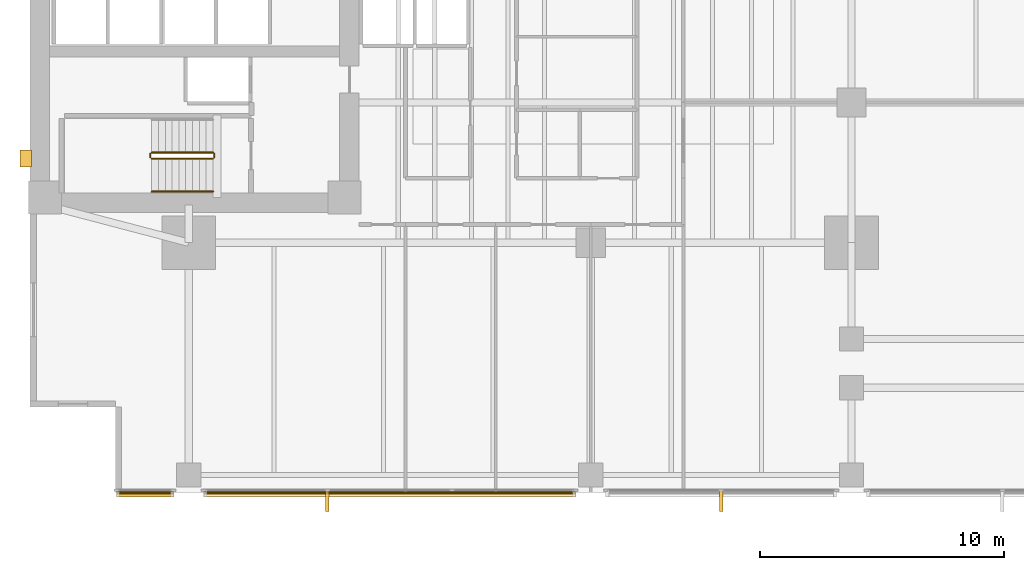
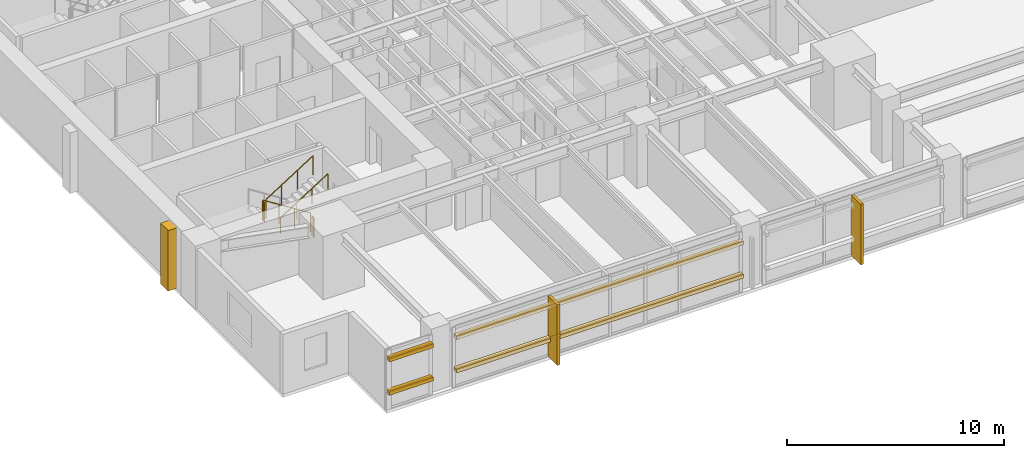
# One storey, part 12 of 15: 7 coverings, 5 railings, 4 shading devices.
"""IFC4 building model written with IfcOpenShell, lengths in metres."""

from ifc_helpers import new_model, si_unit, direction, frame, origin, origin_2d, place, context, subcontext, project, spatial, polyline, rectangle, circle, outline, extrude, material, layer, layer_set, material_profile, profile_set, type_object, element, save


model = new_model("IFC4")

# Units and contexts
model_context = context("Model", 3, precision=1e-05, world=origin(), true_north=direction((0.0, 1.0)))
body_context = subcontext(model_context, "Body", "Model", "MODEL_VIEW")
ifc_project = project(units=[si_unit("LENGTHUNIT", "METRE"), si_unit("AREAUNIT", "SQUARE_METRE"), si_unit("VOLUMEUNIT", "CUBIC_METRE"), si_unit("PLANEANGLEUNIT", "RADIAN"), si_unit("MASSUNIT", "GRAM", prefix="KILO")], contexts=[model_context])

# Site, building, storey
site_placement = place(None, origin())
site = spatial("IfcSite", under=ifc_project, at=site_placement, CompositionType="ELEMENT")
building_placement = place(site_placement, origin())
building = spatial("IfcBuilding", under=site, at=building_placement, Name="Kinhvarn Gate Tower", CompositionType="ELEMENT")
storey_placement = place(building_placement, frame((0.0, 0.0, 85.949951171875)))
storey = spatial("IfcBuildingStorey", under=building, at=storey_placement, Name="L22", CompositionType="ELEMENT", Elevation=85.949951171875)

# Coverings
ifc_material_1 = material(Name="Fired architectural terracotta", Category="masonry")
ifc_layer_1 = layer(ifc_material_1, 0.239990234375)
ifc_layer_set_1 = layer_set([ifc_layer_1], Name="Fired architectural terracotta")
covering_type_1 = type_object("IfcCoveringType", Name="COV-BAG-220", PredefinedType="CLADDING", material=ifc_layer_set_1)
covering_1_placement = place(storey_placement, frame((0.0, 0.0, 0.93994140625)))
element("IfcCovering", 1, at=covering_1_placement, inside=storey, type_object=covering_type_1, Name="Terracotta Horizontal Sunscreen Band TBG-220 (L22)", PredefinedType="CLADDING", context=body_context, shape_type="SweptSolid", body=[
    extrude(outline(polyline([(8.0400390625, 2.56005859375), (10.3798828125, 2.56005859375), (10.3798828125, 2.320068359375), (8.0400390625, 2.320068359375), (8.0400390625, 2.56005859375)])), origin(), (0.0, 0.0, 1.0), 0.22021484375),
])
covering_2_placement = place(storey_placement, frame((0.0, 0.0, 2.81005859375)))
element("IfcCovering", 2, at=covering_2_placement, inside=storey, type_object=covering_type_1, Name="Terracotta Horizontal Sunscreen Band TBG-220 (L22)", PredefinedType="CLADDING", context=body_context, shape_type="SweptSolid", body=[
    extrude(outline(polyline([(8.0400390625, 2.56005859375), (10.3798828125, 2.56005859375), (10.3798828125, 2.320068359375), (8.0400390625, 2.320068359375), (8.0400390625, 2.56005859375)])), origin(), (0.0, 0.0, 1.0), 0.219970703125),
])
covering_3_placement = place(storey_placement, frame((0.0, 0.0, 0.93994140625)))
element("IfcCovering", 3, at=covering_3_placement, inside=storey, type_object=covering_type_1, Name="Terracotta Horizontal Sunscreen Band TBG-220 (L22)", PredefinedType="CLADDING", context=body_context, shape_type="SweptSolid", body=[
    extrude(outline(polyline([(11.6201171875, 2.56005859375), (26.8798828125, 2.56005859375), (26.8798828125, 2.320068359375), (11.6201171875, 2.320068359375), (11.6201171875, 2.56005859375)])), origin(), (0.0, 0.0, 1.0), 0.22021484375),
])
covering_4_placement = place(storey_placement, frame((0.0, 0.0, 2.81005859375)))
element("IfcCovering", 4, at=covering_4_placement, inside=storey, type_object=covering_type_1, Name="Terracotta Horizontal Sunscreen Band TBG-220 (L22)", PredefinedType="CLADDING", context=body_context, shape_type="SweptSolid", body=[
    extrude(outline(polyline([(11.6201171875, 2.56005859375), (26.8798828125, 2.56005859375), (26.8798828125, 2.320068359375), (11.6201171875, 2.320068359375), (11.6201171875, 2.56005859375)])), origin(), (0.0, 0.0, 1.0), 0.219970703125),
])
ifc_layer_2 = layer(ifc_material_1, 0.139892578125)
ifc_layer_set_2 = layer_set([ifc_layer_2], Name="Fired architectural terracotta")
covering_type_2 = type_object("IfcCoveringType", Name="COV-FIN-850", PredefinedType="CLADDING", material=ifc_layer_set_2)
covering_5_placement = place(storey_placement, frame((0.0, 0.0, -0.02001953125)))
element("IfcCovering", 5, at=covering_5_placement, inside=storey, type_object=covering_type_2, Name="Vertical Terracotta Expressive Fin TFN-850 (L22)", PredefinedType="CLADDING", context=body_context, shape_type="SweptSolid", body=[
    extrude(outline(polyline([(16.623291015625, 2.570068359375), (16.76318359375, 2.570068359375), (16.76318359375, 1.719970703125), (16.623291015625, 1.719970703125), (16.623291015625, 2.570068359375)])), origin(), (0.0, 0.0, 1.0), 3.41015625),
])
covering_6_placement = place(storey_placement, frame((0.0, 0.0, -0.02001953125)))
element("IfcCovering", 6, at=covering_6_placement, inside=storey, type_object=covering_type_2, Name="Vertical Terracotta Expressive Fin TFN-850 (L22)", PredefinedType="CLADDING", context=body_context, shape_type="SweptSolid", body=[
    extrude(outline(polyline([(32.780029296875, 2.570068359375), (32.919921875, 2.570068359375), (32.919921875, 1.719970703125), (32.780029296875, 1.719970703125), (32.780029296875, 2.570068359375)])), origin(), (0.0, 0.0, 1.0), 3.41015625),
])
ifc_material_2 = material(Name="Precast white architectural concrete C40/50", Category="concrete")
ifc_layer_3 = layer(ifc_material_2, 0.47998046875)
ifc_layer_set_3 = layer_set([ifc_layer_3], Name="Precast white architectural concrete C40/50")
covering_type_3 = type_object("IfcCoveringType", Name="COV-RIB-450", PredefinedType="CLADDING", material=ifc_layer_set_3)
covering_7_placement = place(storey_placement, frame((0.0, 0.0, -0.02001953125)))
element("IfcCovering", 7, at=covering_7_placement, inside=storey, type_object=covering_type_3, Name="West Core Sculptural Concrete Relief Rib CRB-450 (L22)", PredefinedType="CLADDING", context=body_context, shape_type="SweptSolid", body=[
    extrude(outline(polyline([(4.080078125, 15.85009765625), (4.56005859375, 15.85009765625), (4.56005859375, 16.550048828125), (4.080078125, 16.550048828125), (4.080078125, 15.85009765625)])), origin(), (0.0, 0.0, 1.0), 3.41015625),
])

# Railings
ifc_material_3 = material(Name="Steel S355", Category="steel")
railing_type_1 = type_object("IfcRailingType", Name="RL-ST-GRD", PredefinedType="BALUSTRADE", material=ifc_material_3)
railing_1_placement = place(storey_placement, frame((12.0, 16.449951171875, 0.177490234375)))
element("IfcRailing", 8, at=railing_1_placement, inside=storey, type_object=railing_type_1, Name="L22 ST1 stair guard 1", PredefinedType="BALUSTRADE", context=body_context, shape_type="SweptSolid", body=[
    extrude(circle(Radius=0.02392578125, at=origin_2d()), frame((0.0, 0.0, 1.076171875), z_axis=(-0.84456994832, 0.0, 0.535445237532), x_axis=(0.0, -1.0, 0.0)), (0.0, 0.0, 1.0), 2.98388671875),
    extrude(circle(Radius=0.02099609375, at=origin_2d()), origin(), (0.0, 0.0, 1.0), 1.052001953125),
    extrude(circle(Radius=0.02099609375, at=origin_2d()), frame((-0.840087890625, 0.0, 0.532470703125)), (0.0, 0.0, 1.0), 1.052001953125),
    extrude(circle(Radius=0.02099609375, at=origin_2d()), frame((-1.679931640625, 0.0, 1.065185546875)), (0.0, 0.0, 1.0), 1.052001953125),
    extrude(circle(Radius=0.02099609375, at=origin_2d()), frame((-2.52001953125, 0.0, 1.59765625)), (0.0, 0.0, 1.0), 1.052001953125),
])
railing_2_placement = place(storey_placement, frame((9.429931640625, 16.39990234375, 1.775146484375)))
element("IfcRailing", 9, at=railing_2_placement, inside=storey, type_object=railing_type_1, Name="L22 ST1 stair guard 2", PredefinedType="BALUSTRADE", context=body_context, shape_type="SweptSolid", body=[
    extrude(circle(Radius=0.02392578125, at=origin_2d()), frame((0.0, 0.0, 1.076171875), z_axis=(0.0, -1.0, 0.0), x_axis=(1.0, 0.0, 0.0)), (0.0, 0.0, 1.0), 0.14990234375),
    extrude(circle(Radius=0.02099609375, at=origin_2d()), origin(), (0.0, 0.0, 1.0), 1.052001953125),
    extrude(circle(Radius=0.02099609375, at=origin_2d()), frame((0.0, -0.14990234375, 0.0)), (0.0, 0.0, 1.0), 1.052001953125),
])
railing_3_placement = place(storey_placement, frame((9.47998046875, 16.199951171875, 1.95263671875)))
element("IfcRailing", 10, at=railing_3_placement, inside=storey, type_object=railing_type_1, Name="L22 ST1 stair guard 3", PredefinedType="BALUSTRADE", context=body_context, shape_type="SweptSolid", body=[
    extrude(circle(Radius=0.02392578125, at=origin_2d()), frame((0.0, 0.0, 1.076171875), z_axis=(0.84460694969, 0.0, 0.535386869969), x_axis=(0.0, 1.0, 0.0)), (0.0, 0.0, 1.0), 2.983642578125),
    extrude(circle(Radius=0.02099609375, at=origin_2d()), origin(), (0.0, 0.0, 1.0), 1.052001953125),
    extrude(circle(Radius=0.02099609375, at=origin_2d()), frame((0.840087890625, 0.0, 0.532470703125)), (0.0, 0.0, 1.0), 1.052001953125),
    extrude(circle(Radius=0.02099609375, at=origin_2d()), frame((1.679931640625, 0.0, 1.06494140625)), (0.0, 0.0, 1.0), 1.052001953125),
    extrude(circle(Radius=0.02099609375, at=origin_2d()), frame((2.52001953125, 0.0, 1.597412109375)), (0.0, 0.0, 1.0), 1.052001953125),
])
railing_4_placement = place(storey_placement, frame((12.050048828125, 16.39990234375, 0.0)))
element("IfcRailing", 11, at=railing_4_placement, inside=storey, type_object=railing_type_1, Name="L22 ST1 stair guard 4", PredefinedType="BALUSTRADE", context=body_context, shape_type="SweptSolid", body=[
    extrude(circle(Radius=0.02392578125, at=origin_2d()), frame((0.0, 0.0, 1.076171875), z_axis=(0.0, -1.0, 0.0), x_axis=(1.0, 0.0, 0.0)), (0.0, 0.0, 1.0), 0.14990234375),
    extrude(circle(Radius=0.02099609375, at=origin_2d()), origin(), (0.0, 0.0, 1.0), 1.052001953125),
    extrude(circle(Radius=0.02099609375, at=origin_2d()), frame((0.0, -0.14990234375, 0.0)), (0.0, 0.0, 1.0), 1.052001953125),
])
railing_type_2 = type_object("IfcRailingType", Name="RL-ST-HND", PredefinedType="HANDRAIL", material=ifc_material_3)
railing_5_placement = place(storey_placement, frame((9.47998046875, 14.85009765625, 1.95263671875)))
element("IfcRailing", 12, at=railing_5_placement, inside=storey, type_object=railing_type_2, Name="L22 ST1 stair handrail 2", PredefinedType="HANDRAIL", context=body_context, shape_type="SweptSolid", body=[
    extrude(circle(Radius=0.02392578125, at=origin_2d()), frame((0.0, 0.0, 0.8759765625), z_axis=(0.84460694969, 0.0, 0.535386869969), x_axis=(0.0, 1.0, 0.0)), (0.0, 0.0, 1.0), 2.983642578125),
    extrude(circle(Radius=0.02099609375, at=origin_2d()), origin(), (0.0, 0.0, 1.0), 0.851806640625),
    extrude(circle(Radius=0.02099609375, at=origin_2d()), frame((0.840087890625, 0.0, 0.532470703125)), (0.0, 0.0, 1.0), 0.851806640625),
    extrude(circle(Radius=0.02099609375, at=origin_2d()), frame((1.679931640625, 0.0, 1.06494140625)), (0.0, 0.0, 1.0), 0.851806640625),
    extrude(circle(Radius=0.02099609375, at=origin_2d()), frame((2.52001953125, 0.0, 1.597412109375)), (0.0, 0.0, 1.0), 0.851806640625),
])

# Shading devices
ifc_material_profile = material_profile(ifc_material_1, rectangle(XDim=0.06005859375, YDim=0.139892578125, at=origin_2d()), Name="TC 60x140")
ifc_profile_set = profile_set([ifc_material_profile], Name="Fired architectural terracotta")
shading_device_type = type_object("IfcShadingDeviceType", Name="SHD-BAG-180", PredefinedType="USERDEFINED", material=ifc_profile_set)
for number, where, z_axis, x_axis, name in (
    (13, (8.0400390625, 2.485107421875, 1.050048828125), (1.0, 0.0, 0.0), (0.0, 1.0, 0.0), "Fired Terracotta Baguette Screen Rod 60x140 mm (L22)"),
    (14, (8.0400390625, 2.485107421875, 2.920166015625), (1.0, 0.0, 0.0), (0.0, 1.0, 0.0), "Fired Terracotta Baguette Screen Rod 60x140 mm (L22)"),
):
    element("IfcShadingDevice", number, at=place(storey_placement, frame(where, z_axis=z_axis, x_axis=x_axis)), inside=storey, type_object=shading_device_type, Name=name, ObjectType="BAGUETTE", PredefinedType="USERDEFINED", context=body_context, shape_type="SweptSolid", body=[
        extrude(rectangle(XDim=0.06005859375, YDim=0.139892578125, at=origin_2d()), origin(), (0.0, 0.0, 1.0), 2.33984375),
    ])
for number, where, z_axis, x_axis, name in (
    (15, (11.6201171875, 2.485107421875, 1.050048828125), (1.0, 0.0, 0.0), (0.0, 1.0, 0.0), "Fired Terracotta Baguette Screen Rod 60x140 mm (L22)"),
    (16, (11.6201171875, 2.485107421875, 2.920166015625), (1.0, 0.0, 0.0), (0.0, 1.0, 0.0), "Fired Terracotta Baguette Screen Rod 60x140 mm (L22)"),
):
    element("IfcShadingDevice", number, at=place(storey_placement, frame(where, z_axis=z_axis, x_axis=x_axis)), inside=storey, type_object=shading_device_type, Name=name, ObjectType="BAGUETTE", PredefinedType="USERDEFINED", context=body_context, shape_type="SweptSolid", body=[
        extrude(rectangle(XDim=0.06005859375, YDim=0.139892578125, at=origin_2d()), origin(), (0.0, 0.0, 1.0), 15.259765625),
    ])

save(model, "model.ifc")
